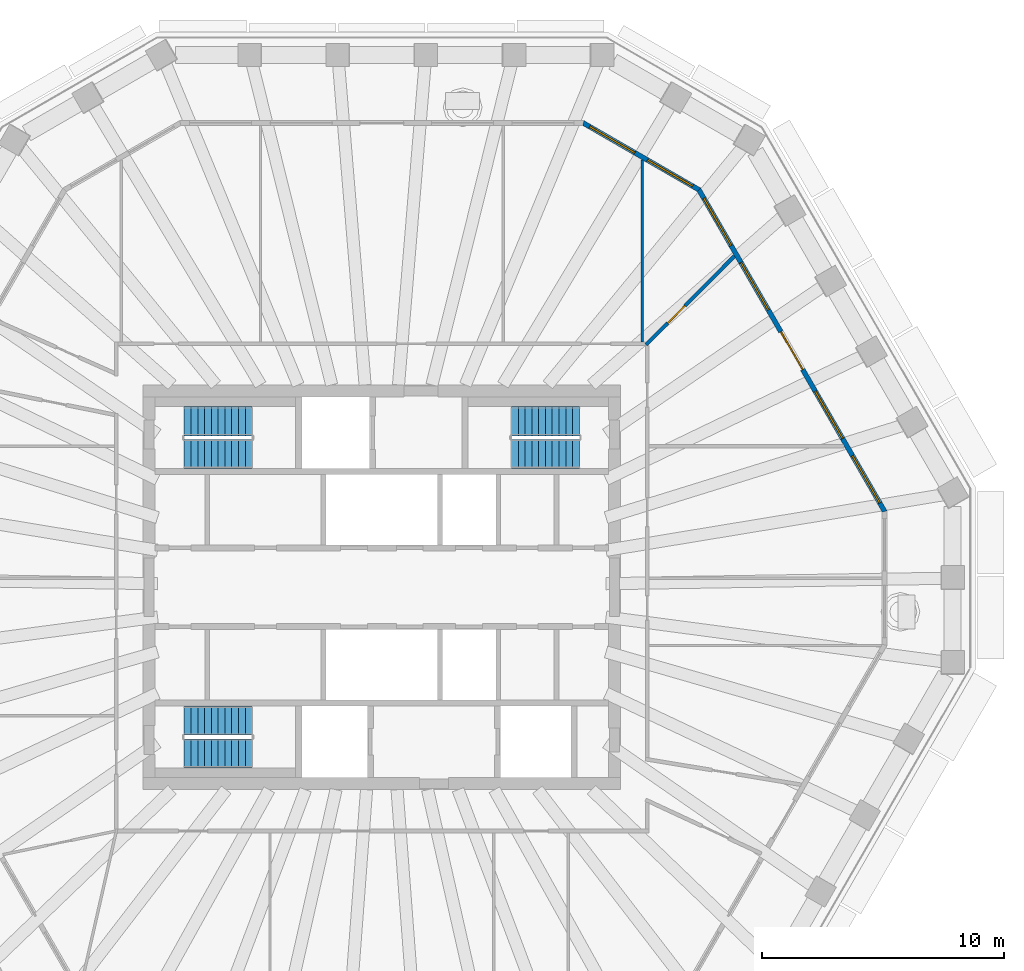
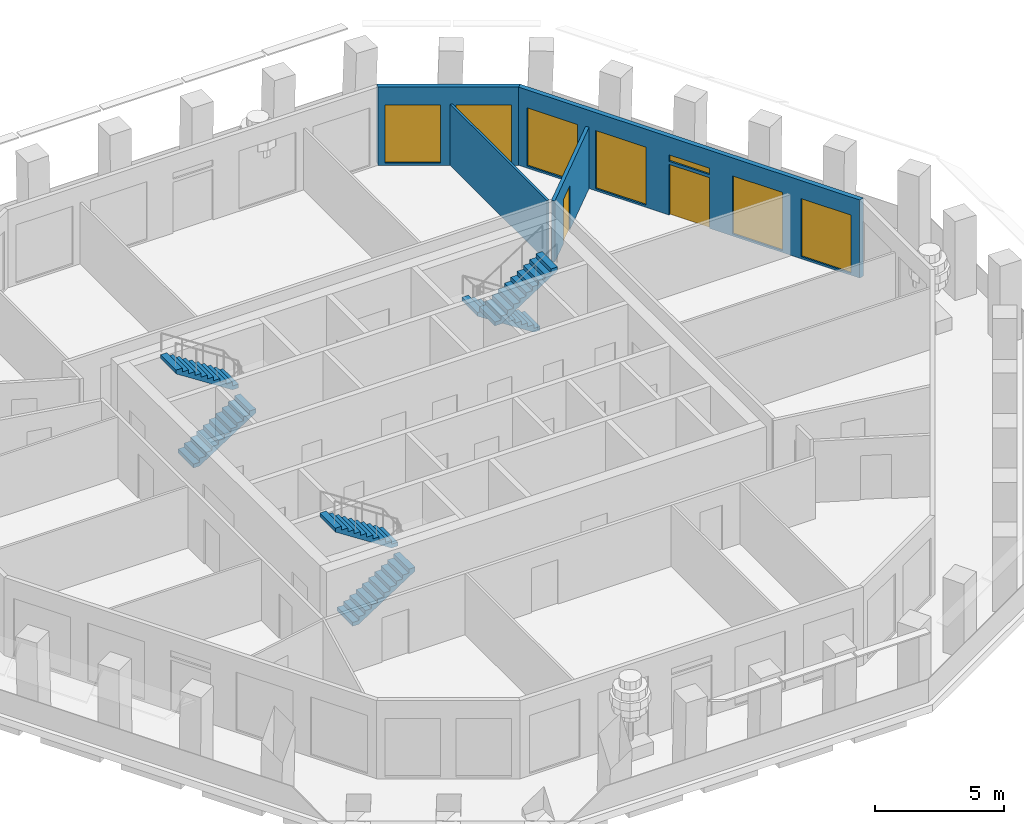
# One storey, part 7 of 11: 7 windows, 6 stair flights, 4 walls, 2 doors, 9 openings, 3 elements without a shape of their own.
"""IFC4 building model written with IfcOpenShell, lengths in metres."""

from ifc_helpers import new_model, si_unit, direction, frame, frame_2d, origin, place, context, subcontext, project, spatial, polyline, rectangle, outline, extrude, material, layer, layer_set, type_object, element, fill, aggregate, save


model = new_model("IFC4")

# Units and contexts
model_context = context("Model", 3, precision=1e-05, world=origin(), true_north=direction((0.0, 1.0)))
body_context = subcontext(model_context, "Body", "Model", "MODEL_VIEW")
ifc_project = project(units=[si_unit("LENGTHUNIT", "METRE"), si_unit("AREAUNIT", "SQUARE_METRE"), si_unit("VOLUMEUNIT", "CUBIC_METRE"), si_unit("PLANEANGLEUNIT", "RADIAN"), si_unit("MASSUNIT", "GRAM", prefix="KILO")], contexts=[model_context])

# Site, building, storey
site_placement = place(None, origin())
site = spatial("IfcSite", under=ifc_project, at=site_placement, CompositionType="ELEMENT")
building_placement = place(site_placement, origin())
building = spatial("IfcBuilding", under=site, at=building_placement, Name="Frailejon Research Tower", CompositionType="ELEMENT")
storey_placement = place(building_placement, frame((0.0, 0.0, 275.0)))
storey = spatial("IfcBuildingStorey", under=building, at=storey_placement, Name="L60", CompositionType="ELEMENT", Elevation=275.0)

# Wall, opening, door
ifc_material_1 = material(Name="Gypsum board and masonry partition", Category="masonry")
ifc_layer_1 = layer(ifc_material_1, 0.14990234375)
ifc_layer_set_1 = layer_set([ifc_layer_1], Name="Laboratory partition, blockwork 150")
wall_type_1 = type_object("IfcWallType", Name="Laboratory partition, blockwork 150", PredefinedType="PARTITIONING", material=ifc_layer_set_1)
wall_1_placement = place(storey_placement, frame((10.897216796875, 9.996826171875, 0.0), z_axis=(0.0, 0.0, 1.0), x_axis=(0.705452294713, 0.708757405524, 0.0)))
wall_1 = element("IfcWall", 1, at=wall_1_placement, inside=storey, type_object=wall_type_1, Name="T:IW:L60:012", PredefinedType="PARTITIONING", context=body_context, shape_type="SweptSolid", body=[
    extrude(rectangle(XDim=5.170654296875, YDim=0.14990234375, at=frame_2d((2.58544921875, 0.0))), origin(), (0.0, 0.0, 1.0), 2.89990234375),
])
opening_1_placement = place(wall_1_placement, frame((1.27392578125, 0.0, 0.0)))
opening_1 = element("IfcOpeningElement", 2, at=opening_1_placement, cuts=wall_1, Name="Opening D2153", PredefinedType="OPENING", context=body_context, shape_type="SweptSolid", body=[
    extrude(rectangle(XDim=1.0, YDim=2.10009765625, at=frame_2d((0.5, 1.050048828125))), frame((0.0, 0.0849609375, 0.0), z_axis=(0.0, -1.0, 0.0), x_axis=(1.0, 0.0, 0.0)), (0.0, 0.0, 1.0), 0.169921875),
])
ifc_material_2 = material(Name="Timber door leaf", Category="wood")
door_type_1 = type_object("IfcDoorType", Name="Door single leaf, timber, steel frame 1000", OperationType="NOTDEFINED", PredefinedType="DOOR", material=ifc_material_2)
door_1_placement = place(opening_1_placement, origin())
door_1 = element("IfcDoor", 3, at=door_1_placement, inside=storey, type_object=door_type_1, Name="D2153", OperationType="SINGLE_SWING_RIGHT", OverallHeight=2.10009765625, OverallWidth=1.0, PredefinedType="DOOR", context=body_context, shape_type="SweptSolid", body=[
    extrude(rectangle(XDim=1.0, YDim=2.10009765625, at=frame_2d((0.5, 1.050048828125))), frame((0.0, 0.02490234375, 0.0), z_axis=(0.0, -1.0, 0.0), x_axis=(1.0, 0.0, 0.0)), (0.0, 0.0, 1.0), 0.050048828125),
])
fill(opening_1, door_1)

# Wall
ifc_material_3 = material(Name="Gypsum board and masonry partition", Category="masonry")
ifc_layer_2 = layer(ifc_material_3, 0.10009765625)
ifc_layer_set_2 = layer_set([ifc_layer_2], Name="Partition, gypsum on steel studs 100")
wall_type_2 = type_object("IfcWallType", Name="Partition, gypsum on steel studs 100", PredefinedType="PARTITIONING", material=ifc_layer_set_2)
wall_2_placement = place(storey_placement, frame((10.747314453125, 10.125, 0.0), z_axis=(0.0, 0.0, 1.0), x_axis=(0.0, 1.0, 0.0)))
element("IfcWall", 4, at=wall_2_placement, inside=storey, type_object=wall_type_2, Name="T:IW:L60:015", PredefinedType="PARTITIONING", context=body_context, shape_type="SweptSolid", body=[
    extrude(rectangle(XDim=7.5048828125, YDim=0.10009765625, at=frame_2d((3.75244140625, 0.0))), origin(), (0.0, 0.0, 1.0), 2.89990234375),
])

# Wall, openings, door, windows
ifc_material_4 = material(Name="Concrete C40/50 precast window wall panel", Category="concrete")
ifc_layer_3 = layer(ifc_material_4, 0.199951171875)
ifc_layer_set_3 = layer_set([ifc_layer_3], Name="Window wall 200")
wall_type_3 = type_object("IfcWallType", Name="Window wall 200", PredefinedType="SOLIDWALL", material=ifc_layer_set_3)
wall_3_placement = place(storey_placement, frame((20.741455078125, 3.12890625, 0.0), z_axis=(0.0, 0.0, 1.0), x_axis=(-0.500005204625, 0.866022398872, 0.0)))
wall_3 = element("IfcWall", 5, at=wall_3_placement, inside=storey, type_object=wall_type_3, Name="Exterior wall L60", PredefinedType="SOLIDWALL", context=body_context, shape_type="SweptSolid", body=[
    extrude(outline(polyline([(-0.02685546875, -0.10009765625), (0.998291015625, -0.10009765625), (2.023193359375, -0.10009765625), (3.04833984375, -0.10009765625), (4.0732421875, -0.10009765625), (5.098388671875, -0.10009765625), (6.12353515625, -0.10009765625), (7.1484375, -0.10009765625), (8.173583984375, -0.10009765625), (9.198486328125, -0.10009765625), (10.2236328125, -0.10009765625), (11.248779296875, -0.10009765625), (12.273681640625, -0.10009765625), (13.298828125, -0.10009765625), (14.32373046875, -0.10009765625), (15.348876953125, -0.10009765625), (15.295166015625, 0.10009765625), (14.27734375, 0.10009765625), (13.25927734375, 0.10009765625), (12.241455078125, 0.10009765625), (11.2236328125, 0.10009765625), (10.205810546875, 0.10009765625), (9.187744140625, 0.10009765625), (8.169921875, 0.10009765625), (7.152099609375, 0.10009765625), (6.13427734375, 0.10009765625), (5.1162109375, 0.10009765625), (4.098388671875, 0.10009765625), (3.08056640625, 0.10009765625), (2.062744140625, 0.10009765625), (1.044677734375, 0.10009765625), (0.02685546875, 0.10009765625), (-0.02685546875, -0.10009765625)])), origin(), (0.0, 0.0, 1.0), 3.699951171875),
])
opening_2_placement = place(wall_3_placement, frame((0.4072265625, 0.0, 0.10009765625)))
opening_2 = element("IfcOpeningElement", 6, at=opening_2_placement, cuts=wall_3, Name="Opening W23", PredefinedType="OPENING", context=body_context, shape_type="SweptSolid", body=[
    extrude(rectangle(XDim=2.25, YDim=2.75, at=frame_2d((1.125, 1.375))), frame((0.0, 0.10986328125, 0.0), z_axis=(0.0, -1.0, 0.0), x_axis=(1.0, 0.0, 0.0)), (0.0, 0.0, 1.0), 0.219970703125),
])
opening_3_placement = place(wall_3_placement, frame((3.4716796875, 0.0, 0.10009765625)))
opening_3 = element("IfcOpeningElement", 7, at=opening_3_placement, cuts=wall_3, Name="Opening W23", PredefinedType="OPENING", context=body_context, shape_type="SweptSolid", body=[
    extrude(rectangle(XDim=2.25, YDim=2.75, at=frame_2d((1.125, 1.375))), frame((0.0, 0.10986328125, 0.0), z_axis=(0.0, -1.0, 0.0), x_axis=(1.0, 0.0, 0.0)), (0.0, 0.0, 1.0), 0.219970703125),
])
opening_4_placement = place(wall_3_placement, frame((6.760986328125, 0.0, 0.0)))
opening_4 = element("IfcOpeningElement", 8, at=opening_4_placement, cuts=wall_3, Name="Opening LG60-1", PredefinedType="OPENING", context=body_context, shape_type="SweptSolid", body=[
    extrude(rectangle(XDim=1.800048828125, YDim=2.39990234375, at=frame_2d((0.89990234375, 1.199951171875))), frame((0.0, 0.10986328125, 0.0), z_axis=(0.0, -1.0, 0.0), x_axis=(1.0, 0.0, 0.0)), (0.0, 0.0, 1.0), 0.219970703125),
])
opening_5_placement = place(wall_3_placement, frame((6.760986328125, 0.0, 2.550048828125)))
opening_5 = element("IfcOpeningElement", 9, at=opening_5_placement, cuts=wall_3, Name="Opening W24", PredefinedType="OPENING", context=body_context, shape_type="SweptSolid", body=[
    extrude(rectangle(XDim=1.800048828125, YDim=0.300048828125, at=frame_2d((0.89990234375, 0.14990234375))), frame((0.0, 0.10986328125, 0.0), z_axis=(0.0, -1.0, 0.0), x_axis=(1.0, 0.0, 0.0)), (0.0, 0.0, 1.0), 0.219970703125),
])
opening_6_placement = place(wall_3_placement, frame((9.6005859375, 0.0, 0.10009765625)))
opening_6 = element("IfcOpeningElement", 10, at=opening_6_placement, cuts=wall_3, Name="Opening W23", PredefinedType="OPENING", context=body_context, shape_type="SweptSolid", body=[
    extrude(rectangle(XDim=2.25, YDim=2.75, at=frame_2d((1.125, 1.375))), frame((0.0, 0.10986328125, 0.0), z_axis=(0.0, -1.0, 0.0), x_axis=(1.0, 0.0, 0.0)), (0.0, 0.0, 1.0), 0.219970703125),
])
opening_7_placement = place(wall_3_placement, frame((12.6650390625, 0.0, 0.10009765625)))
opening_7 = element("IfcOpeningElement", 11, at=opening_7_placement, cuts=wall_3, Name="Opening W23", PredefinedType="OPENING", context=body_context, shape_type="SweptSolid", body=[
    extrude(rectangle(XDim=2.25, YDim=2.75, at=frame_2d((1.125, 1.375))), frame((0.0, 0.10986328125, 0.0), z_axis=(0.0, -1.0, 0.0), x_axis=(1.0, 0.0, 0.0)), (0.0, 0.0, 1.0), 0.219970703125),
])
ifc_material_5 = material(Name="Aluminium framed glazed door leaf", Category="aluminium")
door_type_2 = type_object("IfcDoorType", Name="Loggia door 1800x2400", OperationType="DOUBLE_DOOR_SINGLE_SWING", PredefinedType="DOOR", material=ifc_material_5)
door_2_placement = place(opening_4_placement, origin())
door_2 = element("IfcDoor", 12, at=door_2_placement, inside=storey, type_object=door_type_2, Name="Door LG60-1", OperationType="DOUBLE_DOOR_SINGLE_SWING", OverallHeight=2.39990234375, OverallWidth=1.800048828125, PredefinedType="DOOR", context=body_context, shape_type="SweptSolid", body=[
    extrude(rectangle(XDim=1.800048828125, YDim=2.39990234375, at=frame_2d((0.89990234375, 1.199951171875))), frame((0.0, 0.02490234375, 0.0), z_axis=(0.0, -1.0, 0.0), x_axis=(1.0, 0.0, 0.0)), (0.0, 0.0, 1.0), 0.050048828125),
])
fill(opening_4, door_2)
ifc_material_6 = material(Name="Aluminium framed double glazing", Category="aluminium")
window_type_1 = type_object("IfcWindowType", Name="Window 1800x300", PartitioningType="SINGLE_PANEL", PredefinedType="WINDOW", material=ifc_material_6)
window_1_placement = place(opening_5_placement, origin())
window_1 = element("IfcWindow", 13, at=window_1_placement, inside=storey, type_object=window_type_1, Name="Window L60", OverallHeight=0.300048828125, OverallWidth=1.800048828125, PartitioningType="SINGLE_PANEL", PredefinedType="WINDOW", context=body_context, shape_type="SweptSolid", body=[
    extrude(rectangle(XDim=1.800048828125, YDim=0.300048828125, at=frame_2d((0.89990234375, 0.14990234375))), frame((0.0, 0.030029296875, 0.0), z_axis=(0.0, -1.0, 0.0), x_axis=(1.0, 0.0, 0.0)), (0.0, 0.0, 1.0), 0.06005859375),
])
fill(opening_5, window_1)
ifc_material_7 = material(Name="Aluminium framed double glazing", Category="aluminium")
window_type_2 = type_object("IfcWindowType", Name="Window 2250x2750", PartitioningType="SINGLE_PANEL", PredefinedType="WINDOW", material=ifc_material_7)
window_2_placement = place(opening_2_placement, origin())
window_2 = element("IfcWindow", 14, at=window_2_placement, inside=storey, type_object=window_type_2, Name="Window L60", OverallHeight=2.75, OverallWidth=2.25, PartitioningType="SINGLE_PANEL", PredefinedType="WINDOW", context=body_context, shape_type="SweptSolid", body=[
    extrude(rectangle(XDim=2.25, YDim=2.75, at=frame_2d((1.125, 1.375))), frame((0.0, 0.030029296875, 0.0), z_axis=(0.0, -1.0, 0.0), x_axis=(1.0, 0.0, 0.0)), (0.0, 0.0, 1.0), 0.06005859375),
])
fill(opening_2, window_2)
window_3_placement = place(opening_3_placement, origin())
window_3 = element("IfcWindow", 15, at=window_3_placement, inside=storey, type_object=window_type_2, Name="Window L60", OverallHeight=2.75, OverallWidth=2.25, PartitioningType="SINGLE_PANEL", PredefinedType="WINDOW", context=body_context, shape_type="SweptSolid", body=[
    extrude(rectangle(XDim=2.25, YDim=2.75, at=frame_2d((1.125, 1.375))), frame((0.0, 0.030029296875, 0.0), z_axis=(0.0, -1.0, 0.0), x_axis=(1.0, 0.0, 0.0)), (0.0, 0.0, 1.0), 0.06005859375),
])
fill(opening_3, window_3)
window_4_placement = place(opening_6_placement, origin())
window_4 = element("IfcWindow", 16, at=window_4_placement, inside=storey, type_object=window_type_2, Name="Window L60", OverallHeight=2.75, OverallWidth=2.25, PartitioningType="SINGLE_PANEL", PredefinedType="WINDOW", context=body_context, shape_type="SweptSolid", body=[
    extrude(rectangle(XDim=2.25, YDim=2.75, at=frame_2d((1.125, 1.375))), frame((0.0, 0.030029296875, 0.0), z_axis=(0.0, -1.0, 0.0), x_axis=(1.0, 0.0, 0.0)), (0.0, 0.0, 1.0), 0.06005859375),
])
fill(opening_6, window_4)
window_5_placement = place(opening_7_placement, origin())
window_5 = element("IfcWindow", 17, at=window_5_placement, inside=storey, type_object=window_type_2, Name="Window L60", OverallHeight=2.75, OverallWidth=2.25, PartitioningType="SINGLE_PANEL", PredefinedType="WINDOW", context=body_context, shape_type="SweptSolid", body=[
    extrude(rectangle(XDim=2.25, YDim=2.75, at=frame_2d((1.125, 1.375))), frame((0.0, 0.030029296875, 0.0), z_axis=(0.0, -1.0, 0.0), x_axis=(1.0, 0.0, 0.0)), (0.0, 0.0, 1.0), 0.06005859375),
])
fill(opening_7, window_5)

# Wall, openings, windows
wall_4_placement = place(storey_placement, frame((13.080322265625, 16.398193359375, 0.0), z_axis=(0.0, 0.0, 1.0), x_axis=(-0.866026017613, 0.499998936816, 0.0)))
wall_4 = element("IfcWall", 18, at=wall_4_placement, inside=storey, type_object=wall_type_3, Name="Exterior wall L60", PredefinedType="SOLIDWALL", context=body_context, shape_type="SweptSolid", body=[
    extrude(outline(polyline([(-0.02685546875, -0.10009765625), (1.08447265625, -0.10009765625), (2.196044921875, -0.10009765625), (3.307373046875, -0.10009765625), (4.4189453125, -0.10009765625), (5.5302734375, -0.10009765625), (5.4765625, 0.10009765625), (4.38671875, 0.10009765625), (3.296630859375, 0.10009765625), (2.206787109375, 0.10009765625), (1.11669921875, 0.10009765625), (0.02685546875, 0.10009765625), (-0.02685546875, -0.10009765625)])), origin(), (0.0, 0.0, 1.0), 3.699951171875),
])
opening_8_placement = place(wall_4_placement, frame((0.30078125, 0.0, 0.10009765625)))
opening_8 = element("IfcOpeningElement", 19, at=opening_8_placement, cuts=wall_4, Name="Opening W22", PredefinedType="OPENING", context=body_context, shape_type="SweptSolid", body=[
    extrude(rectangle(XDim=2.14990234375, YDim=2.75, at=frame_2d((1.074951171875, 1.375))), frame((0.0, 0.10986328125, 0.0), z_axis=(0.0, -1.0, 0.0), x_axis=(1.0, 0.0, 0.0)), (0.0, 0.0, 1.0), 0.219970703125),
])
opening_9_placement = place(wall_4_placement, frame((3.052490234375, 0.0, 0.10009765625)))
opening_9 = element("IfcOpeningElement", 20, at=opening_9_placement, cuts=wall_4, Name="Opening W22", PredefinedType="OPENING", context=body_context, shape_type="SweptSolid", body=[
    extrude(rectangle(XDim=2.14990234375, YDim=2.75, at=frame_2d((1.074951171875, 1.375))), frame((0.0, 0.10986328125, 0.0), z_axis=(0.0, -1.0, 0.0), x_axis=(1.0, 0.0, 0.0)), (0.0, 0.0, 1.0), 0.219970703125),
])
ifc_material_8 = material(Name="Aluminium framed double glazing", Category="aluminium")
window_type_3 = type_object("IfcWindowType", Name="Window 2150x2750", PartitioningType="SINGLE_PANEL", PredefinedType="WINDOW", material=ifc_material_8)
window_6_placement = place(opening_8_placement, origin())
window_6 = element("IfcWindow", 21, at=window_6_placement, inside=storey, type_object=window_type_3, Name="Window L60", OverallHeight=2.75, OverallWidth=2.14990234375, PartitioningType="SINGLE_PANEL", PredefinedType="WINDOW", context=body_context, shape_type="SweptSolid", body=[
    extrude(rectangle(XDim=2.14990234375, YDim=2.75, at=frame_2d((1.074951171875, 1.375))), frame((0.0, 0.030029296875, 0.0), z_axis=(0.0, -1.0, 0.0), x_axis=(1.0, 0.0, 0.0)), (0.0, 0.0, 1.0), 0.06005859375),
])
fill(opening_8, window_6)
window_7_placement = place(opening_9_placement, origin())
window_7 = element("IfcWindow", 22, at=window_7_placement, inside=storey, type_object=window_type_3, Name="Window L60", OverallHeight=2.75, OverallWidth=2.14990234375, PartitioningType="SINGLE_PANEL", PredefinedType="WINDOW", context=body_context, shape_type="SweptSolid", body=[
    extrude(rectangle(XDim=2.14990234375, YDim=2.75, at=frame_2d((1.074951171875, 1.375))), frame((0.0, 0.030029296875, 0.0), z_axis=(0.0, -1.0, 0.0), x_axis=(1.0, 0.0, 0.0)), (0.0, 0.0, 1.0), 0.06005859375),
])
fill(opening_9, window_7)

# Stair, stair flights
ifc_material_9 = material(Name="Concrete C50/60", Category="concrete")
stair_type = type_object("IfcStairType", Name="Exit stair 22 risers", PredefinedType="HALF_TURN_STAIR", material=ifc_material_9)
stair_1_placement = place(storey_placement, origin())
stair_1 = element("IfcStair", 23, at=stair_1_placement, inside=storey, type_object=stair_type, Name="L60 Exit stair ST1", PredefinedType="HALF_TURN_STAIR")
ifc_material_10 = material(Name="Concrete C50/60", Category="concrete")
ifc_layer_4 = layer(ifc_material_10, 0.14990234375)
ifc_layer_set_4 = layer_set([ifc_layer_4], Name="Stair flight 11 risers")
stair_flight_type = type_object("IfcStairFlightType", Name="Stair flight 11 risers", PredefinedType="STRAIGHT", material=ifc_layer_set_4)
stair_flight_1_placement = place(storey_placement, frame((-8.14990234375, 5.5, 0.0), z_axis=(0.0, 0.0, 1.0), x_axis=(1.0, 0.0, 0.0)))
stair_flight_1 = element("IfcStairFlight", 24, at=stair_flight_1_placement, type_object=stair_flight_type, Name="ST1 flight 1", NumberOfRisers=11, NumberOfTreads=10, PredefinedType="STRAIGHT", RiserHeight=0.181818182, TreadLength=0.28, context=body_context, shape_type="SweptSolid", body=[
    extrude(outline(polyline([(0.0, 0.0), (0.0, 0.181884765625), (0.280029296875, 0.181884765625), (0.280029296875, 0.363525390625), (0.56005859375, 0.363525390625), (0.56005859375, 0.54541015625), (0.840087890625, 0.54541015625), (0.840087890625, 0.727294921875), (1.1201171875, 0.727294921875), (1.1201171875, 0.9091796875), (1.39990234375, 0.9091796875), (1.39990234375, 1.0908203125), (1.679931640625, 1.0908203125), (1.679931640625, 1.272705078125), (1.9599609375, 1.272705078125), (1.9599609375, 1.45458984375), (2.239990234375, 1.45458984375), (2.239990234375, 1.636474609375), (2.52001953125, 1.636474609375), (2.52001953125, 1.818115234375), (2.800048828125, 1.818115234375), (2.800048828125, 2.0), (2.800048828125, 1.639404296875), (0.275146484375, 0.0), (0.0, 0.0)])), frame((0.0, 0.60009765625, 0.0), z_axis=(0.0, -1.0, 0.0), x_axis=(1.0, 0.0, 0.0)), (0.0, 0.0, 1.0), 1.199951171875),
])
stair_flight_2_placement = place(storey_placement, frame((-5.35009765625, 6.85009765625, 2.0), z_axis=(0.0, 0.0, 1.0), x_axis=(-1.0, 0.0, 0.0)))
stair_flight_2 = element("IfcStairFlight", 25, at=stair_flight_2_placement, type_object=stair_flight_type, Name="ST1 flight 2", NumberOfRisers=11, NumberOfTreads=10, PredefinedType="STRAIGHT", RiserHeight=0.181818182, TreadLength=0.28, context=body_context, shape_type="SweptSolid", body=[
    extrude(outline(polyline([(0.0, 0.0), (0.0, 0.181884765625), (0.280029296875, 0.181884765625), (0.280029296875, 0.363525390625), (0.56005859375, 0.363525390625), (0.56005859375, 0.54541015625), (0.840087890625, 0.54541015625), (0.840087890625, 0.727294921875), (1.1201171875, 0.727294921875), (1.1201171875, 0.9091796875), (1.39990234375, 0.9091796875), (1.39990234375, 1.0908203125), (1.679931640625, 1.0908203125), (1.679931640625, 1.272705078125), (1.9599609375, 1.272705078125), (1.9599609375, 1.45458984375), (2.239990234375, 1.45458984375), (2.239990234375, 1.636474609375), (2.52001953125, 1.636474609375), (2.52001953125, 1.818115234375), (2.800048828125, 1.818115234375), (2.800048828125, 2.0), (2.800048828125, 1.639404296875), (0.275146484375, 0.0), (0.0, 0.0)])), frame((0.0, 0.60009765625, 0.0), z_axis=(0.0, -1.0, 0.0), x_axis=(1.0, 0.0, 0.0)), (0.0, 0.0, 1.0), 1.199951171875),
])
aggregate(stair_1, [stair_flight_1, stair_flight_2])

stair_2_placement = place(storey_placement, origin())
stair_2 = element("IfcStair", 26, at=stair_2_placement, inside=storey, type_object=stair_type, Name="L60 Exit stair ST2", PredefinedType="HALF_TURN_STAIR")
stair_flight_3_placement = place(storey_placement, frame((-8.14990234375, -6.85009765625, 0.0), z_axis=(0.0, 0.0, 1.0), x_axis=(1.0, 0.0, 0.0)))
stair_flight_3 = element("IfcStairFlight", 27, at=stair_flight_3_placement, type_object=stair_flight_type, Name="ST2 flight 1", NumberOfRisers=11, NumberOfTreads=10, PredefinedType="STRAIGHT", RiserHeight=0.181818182, TreadLength=0.28, context=body_context, shape_type="SweptSolid", body=[
    extrude(outline(polyline([(0.0, 0.0), (0.0, 0.181884765625), (0.280029296875, 0.181884765625), (0.280029296875, 0.363525390625), (0.56005859375, 0.363525390625), (0.56005859375, 0.54541015625), (0.840087890625, 0.54541015625), (0.840087890625, 0.727294921875), (1.1201171875, 0.727294921875), (1.1201171875, 0.9091796875), (1.39990234375, 0.9091796875), (1.39990234375, 1.0908203125), (1.679931640625, 1.0908203125), (1.679931640625, 1.272705078125), (1.9599609375, 1.272705078125), (1.9599609375, 1.45458984375), (2.239990234375, 1.45458984375), (2.239990234375, 1.636474609375), (2.52001953125, 1.636474609375), (2.52001953125, 1.818115234375), (2.800048828125, 1.818115234375), (2.800048828125, 2.0), (2.800048828125, 1.639404296875), (0.275146484375, 0.0), (0.0, 0.0)])), frame((0.0, 0.60009765625, 0.0), z_axis=(0.0, -1.0, 0.0), x_axis=(1.0, 0.0, 0.0)), (0.0, 0.0, 1.0), 1.199951171875),
])
stair_flight_4_placement = place(storey_placement, frame((-5.35009765625, -5.5, 2.0), z_axis=(0.0, 0.0, 1.0), x_axis=(-1.0, 0.0, 0.0)))
stair_flight_4 = element("IfcStairFlight", 28, at=stair_flight_4_placement, type_object=stair_flight_type, Name="ST2 flight 2", NumberOfRisers=11, NumberOfTreads=10, PredefinedType="STRAIGHT", RiserHeight=0.181818182, TreadLength=0.28, context=body_context, shape_type="SweptSolid", body=[
    extrude(outline(polyline([(0.0, 0.0), (0.0, 0.181884765625), (0.280029296875, 0.181884765625), (0.280029296875, 0.363525390625), (0.56005859375, 0.363525390625), (0.56005859375, 0.54541015625), (0.840087890625, 0.54541015625), (0.840087890625, 0.727294921875), (1.1201171875, 0.727294921875), (1.1201171875, 0.9091796875), (1.39990234375, 0.9091796875), (1.39990234375, 1.0908203125), (1.679931640625, 1.0908203125), (1.679931640625, 1.272705078125), (1.9599609375, 1.272705078125), (1.9599609375, 1.45458984375), (2.239990234375, 1.45458984375), (2.239990234375, 1.636474609375), (2.52001953125, 1.636474609375), (2.52001953125, 1.818115234375), (2.800048828125, 1.818115234375), (2.800048828125, 2.0), (2.800048828125, 1.639404296875), (0.275146484375, 0.0), (0.0, 0.0)])), frame((0.0, 0.60009765625, 0.0), z_axis=(0.0, -1.0, 0.0), x_axis=(1.0, 0.0, 0.0)), (0.0, 0.0, 1.0), 1.199951171875),
])
aggregate(stair_2, [stair_flight_3, stair_flight_4])

stair_3_placement = place(storey_placement, origin())
stair_3 = element("IfcStair", 29, at=stair_3_placement, inside=storey, type_object=stair_type, Name="L60 Exit stair ST3", PredefinedType="HALF_TURN_STAIR")
stair_flight_5_placement = place(storey_placement, frame((8.14990234375, 6.85009765625, 0.0), z_axis=(0.0, 0.0, 1.0), x_axis=(-1.0, 0.0, 0.0)))
stair_flight_5 = element("IfcStairFlight", 30, at=stair_flight_5_placement, type_object=stair_flight_type, Name="ST3 flight 1", NumberOfRisers=11, NumberOfTreads=10, PredefinedType="STRAIGHT", RiserHeight=0.181818182, TreadLength=0.28, context=body_context, shape_type="SweptSolid", body=[
    extrude(outline(polyline([(0.0, 0.0), (0.0, 0.181884765625), (0.280029296875, 0.181884765625), (0.280029296875, 0.363525390625), (0.56005859375, 0.363525390625), (0.56005859375, 0.54541015625), (0.840087890625, 0.54541015625), (0.840087890625, 0.727294921875), (1.1201171875, 0.727294921875), (1.1201171875, 0.9091796875), (1.39990234375, 0.9091796875), (1.39990234375, 1.0908203125), (1.679931640625, 1.0908203125), (1.679931640625, 1.272705078125), (1.9599609375, 1.272705078125), (1.9599609375, 1.45458984375), (2.239990234375, 1.45458984375), (2.239990234375, 1.636474609375), (2.52001953125, 1.636474609375), (2.52001953125, 1.818115234375), (2.800048828125, 1.818115234375), (2.800048828125, 2.0), (2.800048828125, 1.639404296875), (0.275146484375, 0.0), (0.0, 0.0)])), frame((0.0, 0.60009765625, 0.0), z_axis=(0.0, -1.0, 0.0), x_axis=(1.0, 0.0, 0.0)), (0.0, 0.0, 1.0), 1.199951171875),
])
stair_flight_6_placement = place(storey_placement, frame((5.35009765625, 5.5, 2.0), z_axis=(0.0, 0.0, 1.0), x_axis=(1.0, 0.0, 0.0)))
stair_flight_6 = element("IfcStairFlight", 31, at=stair_flight_6_placement, type_object=stair_flight_type, Name="ST3 flight 2", NumberOfRisers=11, NumberOfTreads=10, PredefinedType="STRAIGHT", RiserHeight=0.181818182, TreadLength=0.28, context=body_context, shape_type="SweptSolid", body=[
    extrude(outline(polyline([(0.0, 0.0), (0.0, 0.181884765625), (0.280029296875, 0.181884765625), (0.280029296875, 0.363525390625), (0.56005859375, 0.363525390625), (0.56005859375, 0.54541015625), (0.840087890625, 0.54541015625), (0.840087890625, 0.727294921875), (1.1201171875, 0.727294921875), (1.1201171875, 0.9091796875), (1.39990234375, 0.9091796875), (1.39990234375, 1.0908203125), (1.679931640625, 1.0908203125), (1.679931640625, 1.272705078125), (1.9599609375, 1.272705078125), (1.9599609375, 1.45458984375), (2.239990234375, 1.45458984375), (2.239990234375, 1.636474609375), (2.52001953125, 1.636474609375), (2.52001953125, 1.818115234375), (2.800048828125, 1.818115234375), (2.800048828125, 2.0), (2.800048828125, 1.639404296875), (0.275146484375, 0.0), (0.0, 0.0)])), frame((0.0, 0.60009765625, 0.0), z_axis=(0.0, -1.0, 0.0), x_axis=(1.0, 0.0, 0.0)), (0.0, 0.0, 1.0), 1.199951171875),
])
aggregate(stair_3, [stair_flight_5, stair_flight_6])

save(model, "model.ifc")
